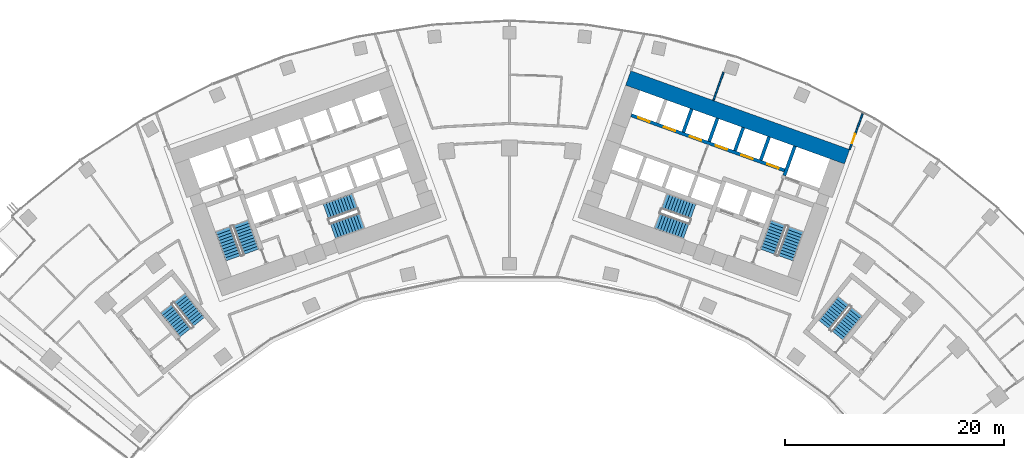
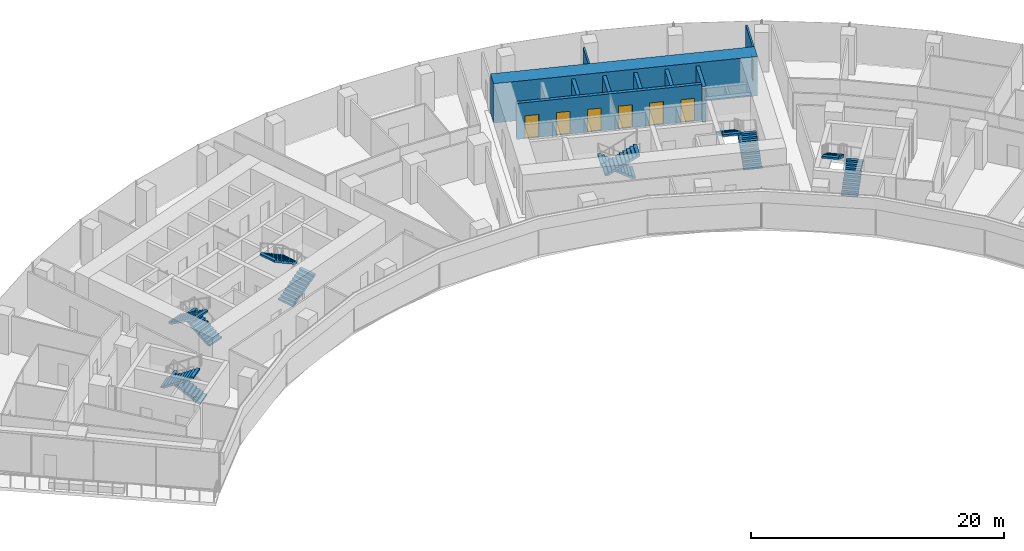
# One storey, part 18 of 20: 12 stair flights, 9 walls, 7 doors, 7 openings, 6 elements without a shape of their own.
"""IFC4 building model written with IfcOpenShell, lengths in metres."""

from ifc_helpers import new_model, si_unit, direction, frame, frame_2d, origin, place, context, subcontext, project, spatial, polyline, rectangle, outline, extrude, material, layer, layer_set, type_object, element, fill, aggregate, save


model = new_model("IFC4")

# Units and contexts
model_context = context("Model", 3, precision=1e-05, world=origin(), true_north=direction((0.0, 1.0)))
body_context = subcontext(model_context, "Body", "Model", "MODEL_VIEW")
ifc_project = project(units=[si_unit("LENGTHUNIT", "METRE"), si_unit("AREAUNIT", "SQUARE_METRE"), si_unit("VOLUMEUNIT", "CUBIC_METRE"), si_unit("PLANEANGLEUNIT", "RADIAN"), si_unit("MASSUNIT", "GRAM", prefix="KILO")], contexts=[model_context])

# Site, building, storey
site_placement = place(None, origin())
site = spatial("IfcSite", under=ifc_project, at=site_placement, CompositionType="ELEMENT")
building_placement = place(site_placement, origin())
building = spatial("IfcBuilding", under=site, at=building_placement, Name="Stone Belt Terrace Tower", CompositionType="ELEMENT")
storey_placement = place(building_placement, frame((0.0, 0.0, 102.199951171875)))
storey = spatial("IfcBuildingStorey", under=building, at=storey_placement, Name="L24", CompositionType="ELEMENT", Elevation=102.199951171875)

# Walls
ifc_material_1 = material(Name="Concrete B80", Category="concrete")
ifc_layer_1 = layer(ifc_material_1, 1.39990234375)
ifc_layer_set_1 = layer_set([ifc_layer_1], Name="Core wall 1400 B80")
wall_type_1 = type_object("IfcWallType", Name="Core wall 1400 B80", PredefinedType="SHEAR", material=ifc_layer_set_1)
wall_1_placement = place(storey_placement, frame((10.81787109375, 61.362060546875, 0.0), z_axis=(0.0, 0.0, 1.0), x_axis=(0.940919704758, -0.338629752382, 0.0)))
element("IfcWall", 1, at=wall_1_placement, inside=storey, type_object=wall_type_1, Name="Core B wall convex L24", PredefinedType="SHEAR", context=body_context, shape_type="SweptSolid", body=[
    extrude(rectangle(XDim=21.199951171875, YDim=1.39990234375, at=frame_2d((10.60009765625, 0.0))), origin(), (0.0, 0.0, 1.0), 3.800048828125),
])
ifc_layer_2 = layer(ifc_material_1, 0.300048828125)
ifc_layer_set_2 = layer_set([ifc_layer_2], Name="Lift shaft wall 300")
wall_type_2 = type_object("IfcWallType", Name="Lift shaft wall 300", PredefinedType="SHEAR", material=ifc_layer_set_2)
wall_2_placement = place(storey_placement, frame((25.046875, 52.46826171875, 0.0), z_axis=(0.0, 0.0, 1.0), x_axis=(0.338549588058, 0.940948551423, 0.0)))
element("IfcWall", 2, at=wall_2_placement, inside=storey, type_object=wall_type_2, Name="Core B wall", PredefinedType="SHEAR", context=body_context, shape_type="SweptSolid", body=[
    extrude(rectangle(XDim=2.849853515625, YDim=0.300048828125, at=frame_2d((1.4248046875, 0.0))), origin(), (0.0, 0.0, 1.0), 3.47998046875),
])

# Wall, openings, doors
wall_3_placement = place(storey_placement, frame((25.05810546875, 52.9423828125, 0.0), z_axis=(0.0, 0.0, 1.0), x_axis=(-0.940918215764, 0.338633889685, 0.0)))
wall_3 = element("IfcWall", 3, at=wall_3_placement, inside=storey, type_object=wall_type_2, Name="Core B wall", PredefinedType="SHEAR", context=body_context, shape_type="SweptSolid", body=[
    extrude(rectangle(XDim=14.850341796875, YDim=0.300048828125, at=frame_2d((7.42529296875, 0.0))), origin(), (0.0, 0.0, 1.0), 3.47998046875),
])
opening_1_placement = place(wall_3_placement, frame((0.570068359375, 0.0, 0.0)))
opening_1 = element("IfcOpeningElement", 4, at=opening_1_placement, cuts=wall_3, Name="Opening L24-LD10", PredefinedType="OPENING", context=body_context, shape_type="SweptSolid", body=[
    extrude(rectangle(XDim=1.10009765625, YDim=2.199951171875, at=frame_2d((0.550048828125, 1.10009765625))), frame((0.0, 0.159912109375, 0.0), z_axis=(0.0, -1.0, 0.0), x_axis=(1.0, 0.0, 0.0)), (0.0, 0.0, 1.0), 0.320068359375),
])
opening_2_placement = place(wall_3_placement, frame((3.070068359375, 0.0, 0.0)))
opening_2 = element("IfcOpeningElement", 5, at=opening_2_placement, cuts=wall_3, Name="Opening L24-LD11", PredefinedType="OPENING", context=body_context, shape_type="SweptSolid", body=[
    extrude(rectangle(XDim=1.10009765625, YDim=2.199951171875, at=frame_2d((0.550048828125, 1.10009765625))), frame((0.0, 0.159912109375, 0.0), z_axis=(0.0, -1.0, 0.0), x_axis=(1.0, 0.0, 0.0)), (0.0, 0.0, 1.0), 0.320068359375),
])
opening_3_placement = place(wall_3_placement, frame((5.570068359375, 0.0, 0.0)))
opening_3 = element("IfcOpeningElement", 6, at=opening_3_placement, cuts=wall_3, Name="Opening L24-LD12", PredefinedType="OPENING", context=body_context, shape_type="SweptSolid", body=[
    extrude(rectangle(XDim=1.10009765625, YDim=2.199951171875, at=frame_2d((0.550048828125, 1.10009765625))), frame((0.0, 0.159912109375, 0.0), z_axis=(0.0, -1.0, 0.0), x_axis=(1.0, 0.0, 0.0)), (0.0, 0.0, 1.0), 0.320068359375),
])
opening_4_placement = place(wall_3_placement, frame((8.070068359375, 0.0, 0.0)))
opening_4 = element("IfcOpeningElement", 7, at=opening_4_placement, cuts=wall_3, Name="Opening L24-LD13", PredefinedType="OPENING", context=body_context, shape_type="SweptSolid", body=[
    extrude(rectangle(XDim=1.10009765625, YDim=2.199951171875, at=frame_2d((0.550048828125, 1.10009765625))), frame((0.0, 0.159912109375, 0.0), z_axis=(0.0, -1.0, 0.0), x_axis=(1.0, 0.0, 0.0)), (0.0, 0.0, 1.0), 0.320068359375),
])
opening_5_placement = place(wall_3_placement, frame((10.570068359375, 0.0, 0.0)))
opening_5 = element("IfcOpeningElement", 8, at=opening_5_placement, cuts=wall_3, Name="Opening L24-LD14", PredefinedType="OPENING", context=body_context, shape_type="SweptSolid", body=[
    extrude(rectangle(XDim=1.10009765625, YDim=2.199951171875, at=frame_2d((0.550048828125, 1.10009765625))), frame((0.0, 0.159912109375, 0.0), z_axis=(0.0, -1.0, 0.0), x_axis=(1.0, 0.0, 0.0)), (0.0, 0.0, 1.0), 0.320068359375),
])
opening_6_placement = place(wall_3_placement, frame((13.070068359375, 0.0, 0.0)))
opening_6 = element("IfcOpeningElement", 9, at=opening_6_placement, cuts=wall_3, Name="Opening L24-LD15", PredefinedType="OPENING", context=body_context, shape_type="SweptSolid", body=[
    extrude(rectangle(XDim=1.10009765625, YDim=2.199951171875, at=frame_2d((0.550048828125, 1.10009765625))), frame((0.0, 0.159912109375, 0.0), z_axis=(0.0, -1.0, 0.0), x_axis=(1.0, 0.0, 0.0)), (0.0, 0.0, 1.0), 0.320068359375),
])
ifc_material_2 = material(Name="Stainless steel door leaf", Category="steel")
door_type_1 = type_object("IfcDoorType", Name="Landing door 1100", OperationType="SLIDING_TO_LEFT", PredefinedType="DOOR", material=ifc_material_2)
door_1_placement = place(opening_1_placement, origin())
door_1 = element("IfcDoor", 10, at=door_1_placement, inside=storey, type_object=door_type_1, Name="Landing door LR1 core B", OperationType="SLIDING_TO_LEFT", OverallHeight=2.199951171875, OverallWidth=1.10009765625, PredefinedType="DOOR", context=body_context, shape_type="SweptSolid", body=[
    extrude(rectangle(XDim=1.10009765625, YDim=2.199951171875, at=frame_2d((0.550048828125, 1.10009765625))), frame((0.0, 0.02490234375, 0.0), z_axis=(0.0, -1.0, 0.0), x_axis=(1.0, 0.0, 0.0)), (0.0, 0.0, 1.0), 0.050048828125),
])
fill(opening_1, door_1)
door_2_placement = place(opening_2_placement, origin())
door_2 = element("IfcDoor", 11, at=door_2_placement, inside=storey, type_object=door_type_1, Name="Landing door LR2 core B", OperationType="SLIDING_TO_LEFT", OverallHeight=2.199951171875, OverallWidth=1.10009765625, PredefinedType="DOOR", context=body_context, shape_type="SweptSolid", body=[
    extrude(rectangle(XDim=1.10009765625, YDim=2.199951171875, at=frame_2d((0.550048828125, 1.10009765625))), frame((0.0, 0.02490234375, 0.0), z_axis=(0.0, -1.0, 0.0), x_axis=(1.0, 0.0, 0.0)), (0.0, 0.0, 1.0), 0.050048828125),
])
fill(opening_2, door_2)
door_3_placement = place(opening_3_placement, origin())
door_3 = element("IfcDoor", 12, at=door_3_placement, inside=storey, type_object=door_type_1, Name="Landing door LR3 core B", OperationType="SLIDING_TO_LEFT", OverallHeight=2.199951171875, OverallWidth=1.10009765625, PredefinedType="DOOR", context=body_context, shape_type="SweptSolid", body=[
    extrude(rectangle(XDim=1.10009765625, YDim=2.199951171875, at=frame_2d((0.550048828125, 1.10009765625))), frame((0.0, 0.02490234375, 0.0), z_axis=(0.0, -1.0, 0.0), x_axis=(1.0, 0.0, 0.0)), (0.0, 0.0, 1.0), 0.050048828125),
])
fill(opening_3, door_3)
door_4_placement = place(opening_4_placement, origin())
door_4 = element("IfcDoor", 13, at=door_4_placement, inside=storey, type_object=door_type_1, Name="Landing door LR4 core B", OperationType="SLIDING_TO_LEFT", OverallHeight=2.199951171875, OverallWidth=1.10009765625, PredefinedType="DOOR", context=body_context, shape_type="SweptSolid", body=[
    extrude(rectangle(XDim=1.10009765625, YDim=2.199951171875, at=frame_2d((0.550048828125, 1.10009765625))), frame((0.0, 0.02490234375, 0.0), z_axis=(0.0, -1.0, 0.0), x_axis=(1.0, 0.0, 0.0)), (0.0, 0.0, 1.0), 0.050048828125),
])
fill(opening_4, door_4)
door_5_placement = place(opening_5_placement, origin())
door_5 = element("IfcDoor", 14, at=door_5_placement, inside=storey, type_object=door_type_1, Name="Landing door LR5 core B", OperationType="SLIDING_TO_LEFT", OverallHeight=2.199951171875, OverallWidth=1.10009765625, PredefinedType="DOOR", context=body_context, shape_type="SweptSolid", body=[
    extrude(rectangle(XDim=1.10009765625, YDim=2.199951171875, at=frame_2d((0.550048828125, 1.10009765625))), frame((0.0, 0.02490234375, 0.0), z_axis=(0.0, -1.0, 0.0), x_axis=(1.0, 0.0, 0.0)), (0.0, 0.0, 1.0), 0.050048828125),
])
fill(opening_5, door_5)
door_6_placement = place(opening_6_placement, origin())
door_6 = element("IfcDoor", 15, at=door_6_placement, inside=storey, type_object=door_type_1, Name="Landing door LR6 core B", OperationType="SLIDING_TO_LEFT", OverallHeight=2.199951171875, OverallWidth=1.10009765625, PredefinedType="DOOR", context=body_context, shape_type="SweptSolid", body=[
    extrude(rectangle(XDim=1.10009765625, YDim=2.199951171875, at=frame_2d((0.550048828125, 1.10009765625))), frame((0.0, 0.02490234375, 0.0), z_axis=(0.0, -1.0, 0.0), x_axis=(1.0, 0.0, 0.0)), (0.0, 0.0, 1.0), 0.050048828125),
])
fill(opening_6, door_6)

# Walls
wall_4_placement = place(storey_placement, frame((22.897705078125, 53.87939453125, 0.0), z_axis=(0.0, 0.0, 1.0), x_axis=(0.338535034312, 0.940953787677, 0.0)))
element("IfcWall", 16, at=wall_4_placement, inside=storey, type_object=wall_type_2, Name="Core B wall", PredefinedType="SHEAR", context=body_context, shape_type="SweptSolid", body=[
    extrude(rectangle(XDim=2.25, YDim=0.300048828125, at=frame_2d((1.125, 0.0))), origin(), (0.0, 0.0, 1.0), 3.47998046875),
])
wall_5_placement = place(storey_placement, frame((20.54541015625, 54.72607421875, 0.0), z_axis=(0.0, 0.0, 1.0), x_axis=(0.338569601369, 0.940941350472, 0.0)))
element("IfcWall", 17, at=wall_5_placement, inside=storey, type_object=wall_type_2, Name="Core B wall", PredefinedType="SHEAR", context=body_context, shape_type="SweptSolid", body=[
    extrude(rectangle(XDim=2.249755859375, YDim=0.300048828125, at=frame_2d((1.125, 0.0))), origin(), (0.0, 0.0, 1.0), 3.47998046875),
])
wall_6_placement = place(storey_placement, frame((18.193115234375, 55.572509765625, 0.0), z_axis=(0.0, 0.0, 1.0), x_axis=(0.338535034312, 0.940953787677, 0.0)))
element("IfcWall", 18, at=wall_6_placement, inside=storey, type_object=wall_type_2, Name="Core B wall", PredefinedType="SHEAR", context=body_context, shape_type="SweptSolid", body=[
    extrude(rectangle(XDim=2.25, YDim=0.300048828125, at=frame_2d((1.125, 0.0))), origin(), (0.0, 0.0, 1.0), 3.47998046875),
])
wall_7_placement = place(storey_placement, frame((15.8408203125, 56.419189453125, 0.0), z_axis=(0.0, 0.0, 1.0), x_axis=(0.338569601369, 0.940941350472, 0.0)))
element("IfcWall", 19, at=wall_7_placement, inside=storey, type_object=wall_type_2, Name="Core B wall", PredefinedType="SHEAR", context=body_context, shape_type="SweptSolid", body=[
    extrude(rectangle(XDim=2.249755859375, YDim=0.300048828125, at=frame_2d((1.125, 0.0))), origin(), (0.0, 0.0, 1.0), 3.47998046875),
])

# Wall, opening, door
ifc_material_3 = material(Name="Gypsum board partition")
ifc_layer_3 = layer(ifc_material_3, 0.14990234375)
ifc_layer_set_3 = layer_set([ifc_layer_3], Name="PARTITION 150 EI 60")
wall_type_3 = type_object("IfcWallType", Name="PARTITION 150 EI 60", PredefinedType="PARTITIONING", material=ifc_layer_set_3)
wall_8_placement = place(storey_placement, frame((31.001953125, 54.842041015625, 0.0), z_axis=(0.0, 0.0, 1.0), x_axis=(0.338662585219, 0.940907887826, 0.0)))
wall_8 = element("IfcWall", 20, at=wall_8_placement, inside=storey, type_object=wall_type_3, Name="L24/wall/i019", PredefinedType="PARTITIONING", context=body_context, shape_type="SweptSolid", body=[
    extrude(rectangle(XDim=3.49560546875, YDim=0.14990234375, at=frame_2d((1.747802734375, 0.0))), origin(), (0.0, 0.0, 1.0), 3.47998046875),
])
opening_7_placement = place(wall_8_placement, frame((0.599365234375, 0.0, 0.0)))
opening_7 = element("IfcOpeningElement", 21, at=opening_7_placement, cuts=wall_8, Name="Opening D-B3-08", PredefinedType="OPENING", context=body_context, shape_type="SweptSolid", body=[
    extrude(rectangle(XDim=0.89990234375, YDim=2.10009765625, at=frame_2d((0.449951171875, 1.050048828125))), frame((0.0, 0.0849609375, 0.0), z_axis=(0.0, -1.0, 0.0), x_axis=(1.0, 0.0, 0.0)), (0.0, 0.0, 1.0), 0.169921875),
])
ifc_material_4 = material(Name="Timber door leaf", Category="wood")
door_type_2 = type_object("IfcDoorType", Name="OFFICE DOOR 900 X 2100", OperationType="NOTDEFINED", PredefinedType="DOOR", material=ifc_material_4)
door_7_placement = place(opening_7_placement, origin())
door_7 = element("IfcDoor", 22, at=door_7_placement, inside=storey, type_object=door_type_2, Name="L24/door/i08", OperationType="SINGLE_SWING_LEFT", OverallHeight=2.10009765625, OverallWidth=0.89990234375, PredefinedType="DOOR", context=body_context, shape_type="SweptSolid", body=[
    extrude(rectangle(XDim=0.89990234375, YDim=2.10009765625, at=frame_2d((0.449951171875, 1.050048828125))), frame((0.0, 0.02490234375, 0.0), z_axis=(0.0, -1.0, 0.0), x_axis=(1.0, 0.0, 0.0)), (0.0, 0.0, 1.0), 0.050048828125),
])
fill(opening_7, door_7)

# Wall
wall_9_placement = place(storey_placement, frame((19.505859375, 61.885009765625, 0.0), z_axis=(0.0, 0.0, 1.0), x_axis=(-0.338672028619, -0.940904488793, 0.0)))
element("IfcWall", 23, at=wall_9_placement, inside=storey, type_object=wall_type_3, Name="L24/wall/i027", PredefinedType="PARTITIONING", context=body_context, shape_type="SweptSolid", body=[
    extrude(rectangle(XDim=2.733642578125, YDim=0.14990234375, at=frame_2d((1.36669921875, 0.0))), origin(), (0.0, 0.0, 1.0), 3.47998046875),
])

# Stair, stair flights
ifc_material_5 = material(Name="Concrete B40", Category="concrete")
stair_type = type_object("IfcStairType", Name="Exit stair 1500", PredefinedType="HALF_TURN_STAIR", material=ifc_material_5)
stair_1_placement = place(storey_placement, origin())
stair_1 = element("IfcStair", 24, at=stair_1_placement, inside=storey, type_object=stair_type, Name="L24 Exit stair 1 core A", PredefinedType="HALF_TURN_STAIR")
stair_flight_type = type_object("IfcStairFlightType", Name="Stair flight 1500", PredefinedType="STRAIGHT", material=ifc_material_5)
stair_flight_1_placement = place(storey_placement, frame((-23.55322265625, 45.51318359375, 0.0), z_axis=(0.0, 0.0, 1.0), x_axis=(-0.338624396177, 0.940921632398, 0.0)))
stair_flight_1 = element("IfcStairFlight", 25, at=stair_flight_1_placement, type_object=stair_flight_type, Name="ST1A flight 1", NumberOfRisers=11, NumberOfTreads=10, PredefinedType="STRAIGHT", RiserHeight=0.172727273, TreadLength=0.28, context=body_context, shape_type="SweptSolid", body=[
    extrude(outline(polyline([(0.0, 0.0), (0.0, 0.172607421875), (0.280029296875, 0.172607421875), (0.280029296875, 0.345458984375), (0.56005859375, 0.345458984375), (0.56005859375, 0.51806640625), (0.840087890625, 0.51806640625), (0.840087890625, 0.69091796875), (1.1201171875, 0.69091796875), (1.1201171875, 0.863525390625), (1.39990234375, 0.863525390625), (1.39990234375, 1.036376953125), (1.679931640625, 1.036376953125), (1.679931640625, 1.208984375), (1.9599609375, 1.208984375), (1.9599609375, 1.3818359375), (2.239990234375, 1.3818359375), (2.239990234375, 1.554443359375), (2.52001953125, 1.554443359375), (2.52001953125, 1.727294921875), (2.800048828125, 1.727294921875), (2.800048828125, 1.89990234375), (2.800048828125, 1.551025390625), (0.285400390625, 0.0), (0.0, 0.0)])), frame((0.0, 0.75, 0.0), z_axis=(0.0, -1.0, 0.0), x_axis=(1.0, 0.0, 0.0)), (0.0, 0.0, 1.0), 1.5),
])
stair_flight_2_placement = place(storey_placement, frame((-26.10107421875, 47.572021484375, 1.900146484375), z_axis=(0.0, 0.0, 1.0), x_axis=(0.338624396177, -0.940921632398, 0.0)))
stair_flight_2 = element("IfcStairFlight", 26, at=stair_flight_2_placement, type_object=stair_flight_type, Name="ST1A flight 2", NumberOfRisers=11, NumberOfTreads=10, PredefinedType="STRAIGHT", RiserHeight=0.172727273, TreadLength=0.28, context=body_context, shape_type="SweptSolid", body=[
    extrude(outline(polyline([(0.0, 0.0), (0.0, 0.172607421875), (0.280029296875, 0.172607421875), (0.280029296875, 0.345458984375), (0.56005859375, 0.345458984375), (0.56005859375, 0.51806640625), (0.840087890625, 0.51806640625), (0.840087890625, 0.69091796875), (1.1201171875, 0.69091796875), (1.1201171875, 0.863525390625), (1.39990234375, 0.863525390625), (1.39990234375, 1.036376953125), (1.679931640625, 1.036376953125), (1.679931640625, 1.208984375), (1.9599609375, 1.208984375), (1.9599609375, 1.3818359375), (2.239990234375, 1.3818359375), (2.239990234375, 1.554443359375), (2.52001953125, 1.554443359375), (2.52001953125, 1.727294921875), (2.800048828125, 1.727294921875), (2.800048828125, 1.89990234375), (2.800048828125, 1.551025390625), (0.285400390625, 0.0), (0.0, 0.0)])), frame((0.0, 0.75, 0.0), z_axis=(0.0, -1.0, 0.0), x_axis=(1.0, 0.0, 0.0)), (0.0, 0.0, 1.0), 1.5),
])
aggregate(stair_1, [stair_flight_1, stair_flight_2])

stair_2_placement = place(storey_placement, origin())
stair_2 = element("IfcStair", 27, at=stair_2_placement, inside=storey, type_object=stair_type, Name="L24 Exit stair 2 core A", PredefinedType="HALF_TURN_STAIR")
stair_flight_3_placement = place(storey_placement, frame((-16.101318359375, 47.39794921875, 0.0), z_axis=(0.0, 0.0, 1.0), x_axis=(0.940921632398, 0.338624396177, 0.0)))
stair_flight_3 = element("IfcStairFlight", 28, at=stair_flight_3_placement, type_object=stair_flight_type, Name="ST2A flight 1", NumberOfRisers=11, NumberOfTreads=10, PredefinedType="STRAIGHT", RiserHeight=0.172727273, TreadLength=0.28, context=body_context, shape_type="SweptSolid", body=[
    extrude(outline(polyline([(0.0, 0.0), (0.0, 0.172607421875), (0.280029296875, 0.172607421875), (0.280029296875, 0.345458984375), (0.56005859375, 0.345458984375), (0.56005859375, 0.51806640625), (0.840087890625, 0.51806640625), (0.840087890625, 0.69091796875), (1.1201171875, 0.69091796875), (1.1201171875, 0.863525390625), (1.39990234375, 0.863525390625), (1.39990234375, 1.036376953125), (1.679931640625, 1.036376953125), (1.679931640625, 1.208984375), (1.9599609375, 1.208984375), (1.9599609375, 1.3818359375), (2.239990234375, 1.3818359375), (2.239990234375, 1.554443359375), (2.52001953125, 1.554443359375), (2.52001953125, 1.727294921875), (2.800048828125, 1.727294921875), (2.800048828125, 1.89990234375), (2.800048828125, 1.551025390625), (0.285400390625, 0.0), (0.0, 0.0)])), frame((0.0, 0.75, 0.0), z_axis=(0.0, -1.0, 0.0), x_axis=(1.0, 0.0, 0.0)), (0.0, 0.0, 1.0), 1.5),
])
stair_flight_4_placement = place(storey_placement, frame((-14.110107421875, 50.1337890625, 1.900146484375), z_axis=(0.0, 0.0, 1.0), x_axis=(-0.940921632398, -0.338624396177, 0.0)))
stair_flight_4 = element("IfcStairFlight", 29, at=stair_flight_4_placement, type_object=stair_flight_type, Name="ST2A flight 2", NumberOfRisers=11, NumberOfTreads=10, PredefinedType="STRAIGHT", RiserHeight=0.172727273, TreadLength=0.28, context=body_context, shape_type="SweptSolid", body=[
    extrude(outline(polyline([(0.0, 0.0), (0.0, 0.172607421875), (0.280029296875, 0.172607421875), (0.280029296875, 0.345458984375), (0.56005859375, 0.345458984375), (0.56005859375, 0.51806640625), (0.840087890625, 0.51806640625), (0.840087890625, 0.69091796875), (1.1201171875, 0.69091796875), (1.1201171875, 0.863525390625), (1.39990234375, 0.863525390625), (1.39990234375, 1.036376953125), (1.679931640625, 1.036376953125), (1.679931640625, 1.208984375), (1.9599609375, 1.208984375), (1.9599609375, 1.3818359375), (2.239990234375, 1.3818359375), (2.239990234375, 1.554443359375), (2.52001953125, 1.554443359375), (2.52001953125, 1.727294921875), (2.800048828125, 1.727294921875), (2.800048828125, 1.89990234375), (2.800048828125, 1.551025390625), (0.285400390625, 0.0), (0.0, 0.0)])), frame((0.0, 0.75, 0.0), z_axis=(0.0, -1.0, 0.0), x_axis=(1.0, 0.0, 0.0)), (0.0, 0.0, 1.0), 1.5),
])
aggregate(stair_2, [stair_flight_3, stair_flight_4])

stair_3_placement = place(storey_placement, origin())
stair_3 = element("IfcStair", 30, at=stair_3_placement, inside=storey, type_object=stair_type, Name="L24 Exit stair 1 core B", PredefinedType="HALF_TURN_STAIR")
stair_flight_5_placement = place(storey_placement, frame((25.15283203125, 44.9375, 0.0), z_axis=(0.0, 0.0, 1.0), x_axis=(0.338624396177, 0.940921632398, 0.0)))
stair_flight_5 = element("IfcStairFlight", 31, at=stair_flight_5_placement, type_object=stair_flight_type, Name="ST1B flight 1", NumberOfRisers=11, NumberOfTreads=10, PredefinedType="STRAIGHT", RiserHeight=0.172727273, TreadLength=0.28, context=body_context, shape_type="SweptSolid", body=[
    extrude(outline(polyline([(0.0, 0.0), (0.0, 0.172607421875), (0.280029296875, 0.172607421875), (0.280029296875, 0.345458984375), (0.56005859375, 0.345458984375), (0.56005859375, 0.51806640625), (0.840087890625, 0.51806640625), (0.840087890625, 0.69091796875), (1.1201171875, 0.69091796875), (1.1201171875, 0.863525390625), (1.39990234375, 0.863525390625), (1.39990234375, 1.036376953125), (1.679931640625, 1.036376953125), (1.679931640625, 1.208984375), (1.9599609375, 1.208984375), (1.9599609375, 1.3818359375), (2.239990234375, 1.3818359375), (2.239990234375, 1.554443359375), (2.52001953125, 1.554443359375), (2.52001953125, 1.727294921875), (2.800048828125, 1.727294921875), (2.800048828125, 1.89990234375), (2.800048828125, 1.551025390625), (0.285400390625, 0.0), (0.0, 0.0)])), frame((0.0, 0.75, 0.0), z_axis=(0.0, -1.0, 0.0), x_axis=(1.0, 0.0, 0.0)), (0.0, 0.0, 1.0), 1.5),
])
stair_flight_6_placement = place(storey_placement, frame((24.50146484375, 48.147705078125, 1.900146484375), z_axis=(0.0, 0.0, 1.0), x_axis=(-0.338624396177, -0.940921632398, 0.0)))
stair_flight_6 = element("IfcStairFlight", 32, at=stair_flight_6_placement, type_object=stair_flight_type, Name="ST1B flight 2", NumberOfRisers=11, NumberOfTreads=10, PredefinedType="STRAIGHT", RiserHeight=0.172727273, TreadLength=0.28, context=body_context, shape_type="SweptSolid", body=[
    extrude(outline(polyline([(0.0, 0.0), (0.0, 0.172607421875), (0.280029296875, 0.172607421875), (0.280029296875, 0.345458984375), (0.56005859375, 0.345458984375), (0.56005859375, 0.51806640625), (0.840087890625, 0.51806640625), (0.840087890625, 0.69091796875), (1.1201171875, 0.69091796875), (1.1201171875, 0.863525390625), (1.39990234375, 0.863525390625), (1.39990234375, 1.036376953125), (1.679931640625, 1.036376953125), (1.679931640625, 1.208984375), (1.9599609375, 1.208984375), (1.9599609375, 1.3818359375), (2.239990234375, 1.3818359375), (2.239990234375, 1.554443359375), (2.52001953125, 1.554443359375), (2.52001953125, 1.727294921875), (2.800048828125, 1.727294921875), (2.800048828125, 1.89990234375), (2.800048828125, 1.551025390625), (0.285400390625, 0.0), (0.0, 0.0)])), frame((0.0, 0.75, 0.0), z_axis=(0.0, -1.0, 0.0), x_axis=(1.0, 0.0, 0.0)), (0.0, 0.0, 1.0), 1.5),
])
aggregate(stair_3, [stair_flight_5, stair_flight_6])

stair_4_placement = place(storey_placement, origin())
stair_4 = element("IfcStair", 33, at=stair_4_placement, inside=storey, type_object=stair_type, Name="L24 Exit stair 2 core B", PredefinedType="HALF_TURN_STAIR")
stair_flight_7_placement = place(storey_placement, frame((16.74462890625, 49.185546875, 0.0), z_axis=(0.0, 0.0, 1.0), x_axis=(-0.940921632398, 0.338624396177, 0.0)))
stair_flight_7 = element("IfcStairFlight", 34, at=stair_flight_7_placement, type_object=stair_flight_type, Name="ST2B flight 1", NumberOfRisers=11, NumberOfTreads=10, PredefinedType="STRAIGHT", RiserHeight=0.172727273, TreadLength=0.28, context=body_context, shape_type="SweptSolid", body=[
    extrude(outline(polyline([(0.0, 0.0), (0.0, 0.172607421875), (0.280029296875, 0.172607421875), (0.280029296875, 0.345458984375), (0.56005859375, 0.345458984375), (0.56005859375, 0.51806640625), (0.840087890625, 0.51806640625), (0.840087890625, 0.69091796875), (1.1201171875, 0.69091796875), (1.1201171875, 0.863525390625), (1.39990234375, 0.863525390625), (1.39990234375, 1.036376953125), (1.679931640625, 1.036376953125), (1.679931640625, 1.208984375), (1.9599609375, 1.208984375), (1.9599609375, 1.3818359375), (2.239990234375, 1.3818359375), (2.239990234375, 1.554443359375), (2.52001953125, 1.554443359375), (2.52001953125, 1.727294921875), (2.800048828125, 1.727294921875), (2.800048828125, 1.89990234375), (2.800048828125, 1.551025390625), (0.285400390625, 0.0), (0.0, 0.0)])), frame((0.0, 0.75, 0.0), z_axis=(0.0, -1.0, 0.0), x_axis=(1.0, 0.0, 0.0)), (0.0, 0.0, 1.0), 1.5),
])
stair_flight_8_placement = place(storey_placement, frame((13.466796875, 48.345947265625, 1.900146484375), z_axis=(0.0, 0.0, 1.0), x_axis=(0.940921632398, -0.338624396177, 0.0)))
stair_flight_8 = element("IfcStairFlight", 35, at=stair_flight_8_placement, type_object=stair_flight_type, Name="ST2B flight 2", NumberOfRisers=11, NumberOfTreads=10, PredefinedType="STRAIGHT", RiserHeight=0.172727273, TreadLength=0.28, context=body_context, shape_type="SweptSolid", body=[
    extrude(outline(polyline([(0.0, 0.0), (0.0, 0.172607421875), (0.280029296875, 0.172607421875), (0.280029296875, 0.345458984375), (0.56005859375, 0.345458984375), (0.56005859375, 0.51806640625), (0.840087890625, 0.51806640625), (0.840087890625, 0.69091796875), (1.1201171875, 0.69091796875), (1.1201171875, 0.863525390625), (1.39990234375, 0.863525390625), (1.39990234375, 1.036376953125), (1.679931640625, 1.036376953125), (1.679931640625, 1.208984375), (1.9599609375, 1.208984375), (1.9599609375, 1.3818359375), (2.239990234375, 1.3818359375), (2.239990234375, 1.554443359375), (2.52001953125, 1.554443359375), (2.52001953125, 1.727294921875), (2.800048828125, 1.727294921875), (2.800048828125, 1.89990234375), (2.800048828125, 1.551025390625), (0.285400390625, 0.0), (0.0, 0.0)])), frame((0.0, 0.75, 0.0), z_axis=(0.0, -1.0, 0.0), x_axis=(1.0, 0.0, 0.0)), (0.0, 0.0, 1.0), 1.5),
])
aggregate(stair_4, [stair_flight_7, stair_flight_8])

stair_5_placement = place(storey_placement, origin())
stair_5 = element("IfcStair", 36, at=stair_5_placement, inside=storey, type_object=stair_type, Name="L24 Exit stair 3A", PredefinedType="HALF_TURN_STAIR")
stair_flight_9_placement = place(storey_placement, frame((-28.325439453125, 39.1240234375, 0.0), z_axis=(0.0, 0.0, 1.0), x_axis=(-0.623121363691, 0.782125160132, 0.0)))
stair_flight_9 = element("IfcStairFlight", 37, at=stair_flight_9_placement, type_object=stair_flight_type, Name="ST3A flight 1", NumberOfRisers=11, NumberOfTreads=10, PredefinedType="STRAIGHT", RiserHeight=0.172727273, TreadLength=0.28, context=body_context, shape_type="SweptSolid", body=[
    extrude(outline(polyline([(0.0, 0.0), (0.0, 0.172607421875), (0.280029296875, 0.172607421875), (0.280029296875, 0.345458984375), (0.56005859375, 0.345458984375), (0.56005859375, 0.51806640625), (0.840087890625, 0.51806640625), (0.840087890625, 0.69091796875), (1.1201171875, 0.69091796875), (1.1201171875, 0.863525390625), (1.39990234375, 0.863525390625), (1.39990234375, 1.036376953125), (1.679931640625, 1.036376953125), (1.679931640625, 1.208984375), (1.9599609375, 1.208984375), (1.9599609375, 1.3818359375), (2.239990234375, 1.3818359375), (2.239990234375, 1.554443359375), (2.52001953125, 1.554443359375), (2.52001953125, 1.727294921875), (2.800048828125, 1.727294921875), (2.800048828125, 1.89990234375), (2.800048828125, 1.551025390625), (0.285400390625, 0.0), (0.0, 0.0)])), frame((0.0, 0.675048828125, 0.0), z_axis=(0.0, -1.0, 0.0), x_axis=(1.0, 0.0, 0.0)), (0.0, 0.0, 1.0), 1.35009765625),
])
stair_flight_10_placement = place(storey_placement, frame((-31.282470703125, 40.34814453125, 1.900146484375), z_axis=(0.0, 0.0, 1.0), x_axis=(0.623121363691, -0.782125160132, 0.0)))
stair_flight_10 = element("IfcStairFlight", 38, at=stair_flight_10_placement, type_object=stair_flight_type, Name="ST3A flight 2", NumberOfRisers=11, NumberOfTreads=10, PredefinedType="STRAIGHT", RiserHeight=0.172727273, TreadLength=0.28, context=body_context, shape_type="SweptSolid", body=[
    extrude(outline(polyline([(0.0, 0.0), (0.0, 0.172607421875), (0.280029296875, 0.172607421875), (0.280029296875, 0.345458984375), (0.56005859375, 0.345458984375), (0.56005859375, 0.51806640625), (0.840087890625, 0.51806640625), (0.840087890625, 0.69091796875), (1.1201171875, 0.69091796875), (1.1201171875, 0.863525390625), (1.39990234375, 0.863525390625), (1.39990234375, 1.036376953125), (1.679931640625, 1.036376953125), (1.679931640625, 1.208984375), (1.9599609375, 1.208984375), (1.9599609375, 1.3818359375), (2.239990234375, 1.3818359375), (2.239990234375, 1.554443359375), (2.52001953125, 1.554443359375), (2.52001953125, 1.727294921875), (2.800048828125, 1.727294921875), (2.800048828125, 1.89990234375), (2.800048828125, 1.551025390625), (0.285400390625, 0.0), (0.0, 0.0)])), frame((0.0, 0.675048828125, 0.0), z_axis=(0.0, -1.0, 0.0), x_axis=(1.0, 0.0, 0.0)), (0.0, 0.0, 1.0), 1.35009765625),
])
aggregate(stair_5, [stair_flight_9, stair_flight_10])

stair_6_placement = place(storey_placement, origin())
stair_6 = element("IfcStair", 39, at=stair_6_placement, inside=storey, type_object=stair_type, Name="L24 Exit stair 3B", PredefinedType="HALF_TURN_STAIR")
stair_flight_11_placement = place(storey_placement, frame((29.88330078125, 37.887939453125, 0.0), z_axis=(0.0, 0.0, 1.0), x_axis=(0.630205749599, 0.776428176441, 0.0)))
stair_flight_11 = element("IfcStairFlight", 40, at=stair_flight_11_placement, type_object=stair_flight_type, Name="ST3B flight 1", NumberOfRisers=11, NumberOfTreads=10, PredefinedType="STRAIGHT", RiserHeight=0.172727273, TreadLength=0.28, context=body_context, shape_type="SweptSolid", body=[
    extrude(outline(polyline([(0.0, 0.0), (0.0, 0.172607421875), (0.280029296875, 0.172607421875), (0.280029296875, 0.345458984375), (0.56005859375, 0.345458984375), (0.56005859375, 0.51806640625), (0.840087890625, 0.51806640625), (0.840087890625, 0.69091796875), (1.1201171875, 0.69091796875), (1.1201171875, 0.863525390625), (1.39990234375, 0.863525390625), (1.39990234375, 1.036376953125), (1.679931640625, 1.036376953125), (1.679931640625, 1.208984375), (1.9599609375, 1.208984375), (1.9599609375, 1.3818359375), (2.239990234375, 1.3818359375), (2.239990234375, 1.554443359375), (2.52001953125, 1.554443359375), (2.52001953125, 1.727294921875), (2.800048828125, 1.727294921875), (2.800048828125, 1.89990234375), (2.800048828125, 1.551025390625), (0.285400390625, 0.0), (0.0, 0.0)])), frame((0.0, 0.675048828125, 0.0), z_axis=(0.0, -1.0, 0.0), x_axis=(1.0, 0.0, 0.0)), (0.0, 0.0, 1.0), 1.35009765625),
])
stair_flight_12_placement = place(storey_placement, frame((30.4443359375, 41.038818359375, 1.900146484375), z_axis=(0.0, 0.0, 1.0), x_axis=(-0.630205749599, -0.776428176441, 0.0)))
stair_flight_12 = element("IfcStairFlight", 41, at=stair_flight_12_placement, type_object=stair_flight_type, Name="ST3B flight 2", NumberOfRisers=11, NumberOfTreads=10, PredefinedType="STRAIGHT", RiserHeight=0.172727273, TreadLength=0.28, context=body_context, shape_type="SweptSolid", body=[
    extrude(outline(polyline([(0.0, 0.0), (0.0, 0.172607421875), (0.280029296875, 0.172607421875), (0.280029296875, 0.345458984375), (0.56005859375, 0.345458984375), (0.56005859375, 0.51806640625), (0.840087890625, 0.51806640625), (0.840087890625, 0.69091796875), (1.1201171875, 0.69091796875), (1.1201171875, 0.863525390625), (1.39990234375, 0.863525390625), (1.39990234375, 1.036376953125), (1.679931640625, 1.036376953125), (1.679931640625, 1.208984375), (1.9599609375, 1.208984375), (1.9599609375, 1.3818359375), (2.239990234375, 1.3818359375), (2.239990234375, 1.554443359375), (2.52001953125, 1.554443359375), (2.52001953125, 1.727294921875), (2.800048828125, 1.727294921875), (2.800048828125, 1.89990234375), (2.800048828125, 1.551025390625), (0.285400390625, 0.0), (0.0, 0.0)])), frame((0.0, 0.675048828125, 0.0), z_axis=(0.0, -1.0, 0.0), x_axis=(1.0, 0.0, 0.0)), (0.0, 0.0, 1.0), 1.35009765625),
])
aggregate(stair_6, [stair_flight_11, stair_flight_12])

save(model, "model.ifc")
